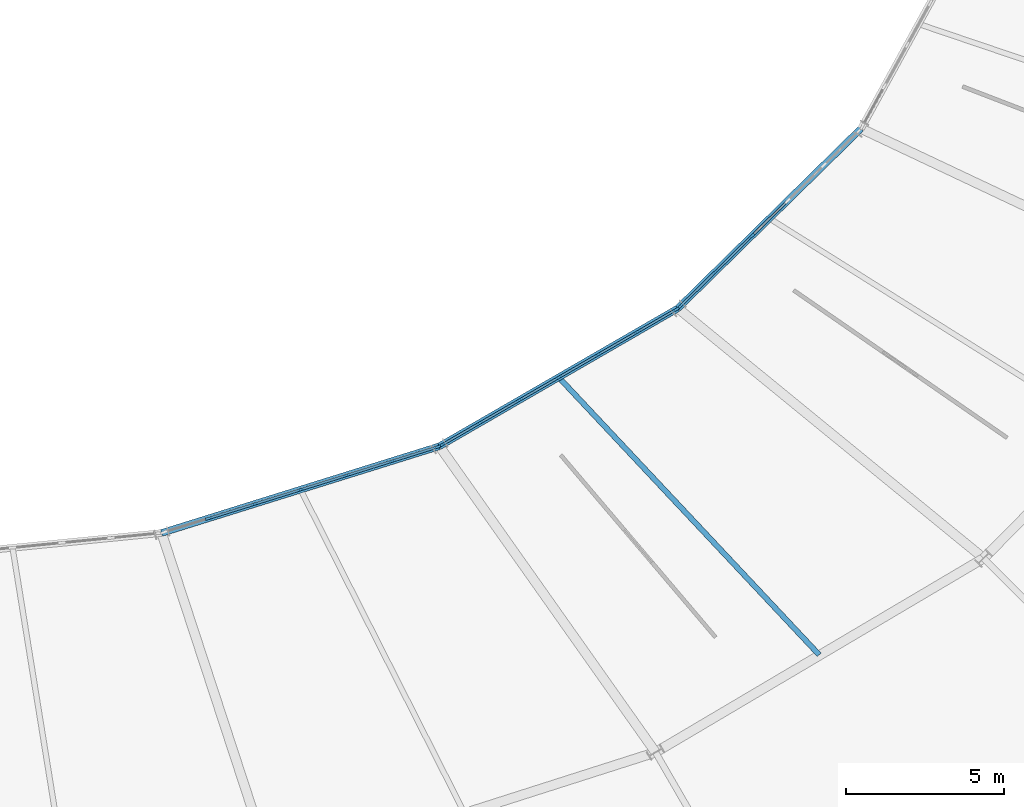
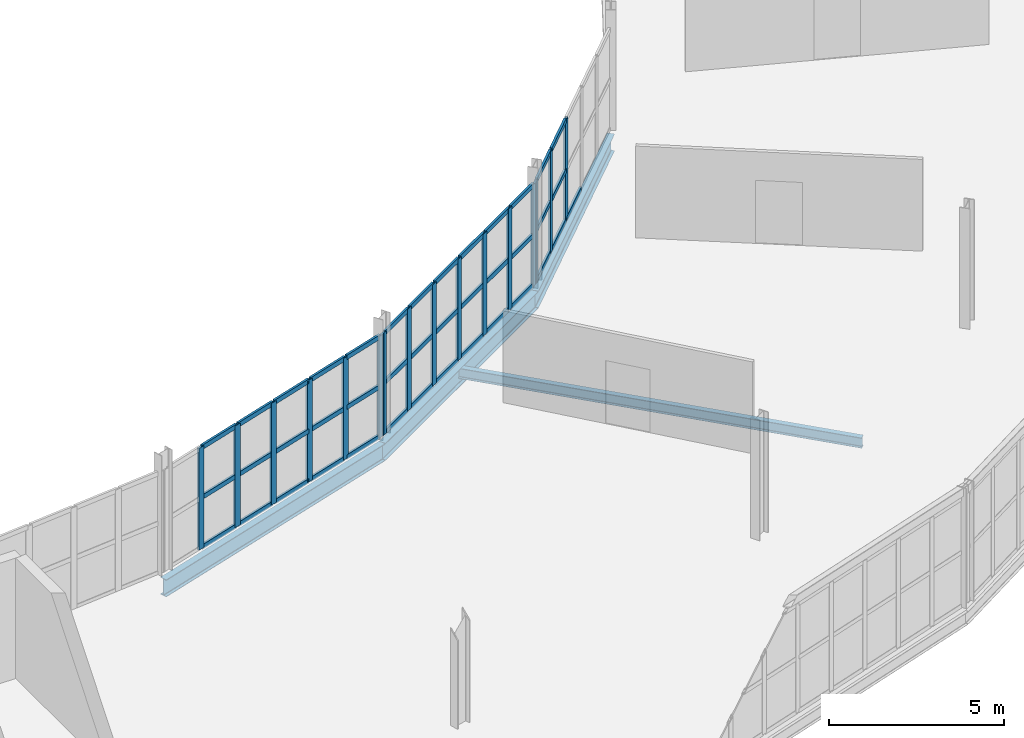
# One storey, part 63 of 161: 56 members, 4 beams, 3 elements without a shape of their own.
"""IFC4 building model written with IfcOpenShell, lengths in metres."""

from ifc_helpers import new_model, si_unit, direction, frame, origin, origin_2d, place, context, subcontext, project, spatial, rectangle, i_section, extrude, material, material_profile, profile_set, type_object, element, aggregate, save


model = new_model("IFC4")

# Units and contexts
model_context = context("Model", 3, precision=1e-05, world=origin(), true_north=direction((0.0, 1.0)))
body_context = subcontext(model_context, "Body", "Model", "MODEL_VIEW")
ifc_project = project(units=[si_unit("LENGTHUNIT", "METRE"), si_unit("AREAUNIT", "SQUARE_METRE"), si_unit("VOLUMEUNIT", "CUBIC_METRE"), si_unit("PLANEANGLEUNIT", "RADIAN"), si_unit("MASSUNIT", "GRAM", prefix="KILO")], contexts=[model_context])

# Site, building, storey
site_placement = place(None, origin())
site = spatial("IfcSite", under=ifc_project, at=site_placement, CompositionType="ELEMENT")
building_placement = place(site_placement, origin())
building = spatial("IfcBuilding", under=site, at=building_placement, Name="Kildeholm Park Wholesale Market", CompositionType="ELEMENT")
storey_placement = place(building_placement, frame((0.0, 0.0, 5.39990234375)))
storey = spatial("IfcBuildingStorey", under=building, at=storey_placement, Name="L01", CompositionType="ELEMENT", Elevation=5.39990234375)

# Beams
ifc_material_1 = material(Name="Steel S355", Category="steel")
ifc_material_profile_1 = material_profile(ifc_material_1, i_section(OverallWidth=0.219970703125, OverallDepth=0.60009765625, WebThickness=0.011962890625, FlangeThickness=0.01904296875, FilletRadius=0.02392578125, at=origin_2d()), Name="IPE 600")
ifc_profile_set_1 = profile_set([ifc_material_profile_1], Name="Steel S355")
beam_type_1 = type_object("IfcBeamType", Name="Beam B-P04 IPE 600", PredefinedType="BEAM", material=ifc_profile_set_1)
beam_1_placement = place(storey_placement, frame((108.447021484375, 62.93701171875, -0.5498046875), z_axis=(0.9545990852, 0.297893582568, 0.0), x_axis=(-0.297893582568, 0.9545990852, 0.0)))
element("IfcBeam", 1, at=beam_1_placement, inside=storey, type_object=beam_type_1, Name="Beam BM-V1-L01-CI-19 BM-0175", PredefinedType="BEAM", context=body_context, shape_type="SweptSolid", body=[
    extrude(i_section(OverallWidth=0.219970703125, OverallDepth=0.60009765625, WebThickness=0.011962890625, FlangeThickness=0.01904296875, FilletRadius=0.02392578125, at=origin_2d()), origin(), (0.0, 0.0, 1.0), 9.2216796875),
])
beam_2_placement = place(storey_placement, frame((117.25, 65.68408203125, -0.5498046875), z_axis=(0.865697347457, 0.500567780231, 0.0), x_axis=(-0.500567780231, 0.865697347457, 0.0)))
element("IfcBeam", 2, at=beam_2_placement, inside=storey, type_object=beam_type_1, Name="Beam BM-V1-L01-CI-20 BM-0184", PredefinedType="BEAM", context=body_context, shape_type="SweptSolid", body=[
    extrude(i_section(OverallWidth=0.219970703125, OverallDepth=0.60009765625, WebThickness=0.011962890625, FlangeThickness=0.01904296875, FilletRadius=0.02392578125, at=origin_2d()), origin(), (0.0, 0.0, 1.0), 8.731689453125),
])
beam_3_placement = place(storey_placement, frame((124.80908203125, 70.054931640625, -0.5498046875), z_axis=(0.713593723838, 0.700559774251, 0.0), x_axis=(-0.700559774251, 0.713593723838, 0.0)))
element("IfcBeam", 3, at=beam_3_placement, inside=storey, type_object=beam_type_1, Name="Beam BM-V1-L01-CI-21 BM-0194", PredefinedType="BEAM", context=body_context, shape_type="SweptSolid", body=[
    extrude(i_section(OverallWidth=0.219970703125, OverallDepth=0.60009765625, WebThickness=0.011962890625, FlangeThickness=0.01904296875, FilletRadius=0.02392578125, at=origin_2d()), origin(), (0.0, 0.0, 1.0), 8.12939453125),
])
ifc_material_profile_2 = material_profile(ifc_material_1, i_section(OverallWidth=0.169921875, OverallDepth=0.360107421875, WebThickness=0.008056640625, FlangeThickness=0.0126953125, FilletRadius=0.01806640625, at=origin_2d()), Name="IPE 360")
ifc_profile_set_2 = profile_set([ifc_material_profile_2], Name="Steel S355")
beam_type_2 = type_object("IfcBeamType", Name="Beam J-04 IPE 360", PredefinedType="JOIST", material=ifc_profile_set_2)
beam_4_placement = place(storey_placement, frame((121.043212890625, 67.85498046875, -0.429931640625), z_axis=(0.68439148237, -0.729114736416, 0.0), x_axis=(0.729114736416, 0.68439148237, 0.0)))
element("IfcBeam", 4, at=beam_4_placement, inside=storey, type_object=beam_type_2, Name="Beam JT-V1-L01-20 BM-0189", PredefinedType="JOIST", context=body_context, shape_type="SweptSolid", body=[
    extrude(i_section(OverallWidth=0.169921875, OverallDepth=0.360107421875, WebThickness=0.008056640625, FlangeThickness=0.0126953125, FilletRadius=0.01806640625, at=origin_2d()), origin(), (0.0, 0.0, 1.0), 12.04248046875),
])

# Curtain wall, members
ifc_material_2 = material(Name="Anodised aluminium and low-E double-glazed glass", Category="aluminium")
curtain_wall_type = type_object("IfcCurtainWallType", Name="Market hall glazed arcade stick curtain wall CW-01", PredefinedType="NOTDEFINED", material=ifc_material_2)
curtain_wall_1_placement = place(storey_placement, origin())
curtain_wall_1 = element("IfcCurtainWall", 5, at=curtain_wall_1_placement, inside=storey, type_object=curtain_wall_type, Name="Curtain wall CW-V1-IN1-19 CW-0097", PredefinedType="NOTDEFINED")
ifc_material_3 = material(Name="Anodised aluminium", Category="aluminium")
ifc_material_profile_3 = material_profile(ifc_material_3, rectangle(XDim=0.074951171875, YDim=0.219970703125, at=origin_2d()), Name="CWM 75x220")
ifc_profile_set_3 = profile_set([ifc_material_profile_3], Name="Anodised aluminium")
member_type_1 = type_object("IfcMemberType", Name="Curtain-wall mullion CWM-2 CWM 75x220", PredefinedType="MULLION", material=ifc_profile_set_3)
member_1_placement = place(storey_placement, frame((109.94140625, 63.39892578125, 0.0), z_axis=(0.0, 0.0, 1.0), x_axis=(-0.297957339818, 0.954579186683, 0.0)))
member_1 = element("IfcMember", 6, at=member_1_placement, type_object=member_type_1, Name="CW-01 mullion 2 MEM-3075", PredefinedType="MULLION", context=body_context, shape_type="SweptSolid", body=[
    extrude(rectangle(XDim=0.074951171875, YDim=0.219970703125, at=origin_2d()), origin(), (0.0, 0.0, 1.0), 3.550048828125),
])
member_2_placement = place(storey_placement, frame((111.39599609375, 63.85302734375, 0.0), z_axis=(0.0, 0.0, 1.0), x_axis=(-0.297957339818, 0.954579186683, 0.0)))
member_2 = element("IfcMember", 7, at=member_2_placement, type_object=member_type_1, Name="CW-01 mullion 3 MEM-3076", PredefinedType="MULLION", context=body_context, shape_type="SweptSolid", body=[
    extrude(rectangle(XDim=0.074951171875, YDim=0.219970703125, at=origin_2d()), origin(), (0.0, 0.0, 1.0), 3.550048828125),
])
member_3_placement = place(storey_placement, frame((112.8505859375, 64.306884765625, 0.0), z_axis=(0.0, 0.0, 1.0), x_axis=(-0.297957339818, 0.954579186683, 0.0)))
member_3 = element("IfcMember", 8, at=member_3_placement, type_object=member_type_1, Name="CW-01 mullion 4 MEM-3077", PredefinedType="MULLION", context=body_context, shape_type="SweptSolid", body=[
    extrude(rectangle(XDim=0.074951171875, YDim=0.219970703125, at=origin_2d()), origin(), (0.0, 0.0, 1.0), 3.550048828125),
])
member_4_placement = place(storey_placement, frame((114.304931640625, 64.760986328125, 0.0), z_axis=(0.0, 0.0, 1.0), x_axis=(-0.297957339818, 0.954579186683, 0.0)))
member_4 = element("IfcMember", 9, at=member_4_placement, type_object=member_type_1, Name="CW-01 mullion 5 MEM-3078", PredefinedType="MULLION", context=body_context, shape_type="SweptSolid", body=[
    extrude(rectangle(XDim=0.074951171875, YDim=0.219970703125, at=origin_2d()), origin(), (0.0, 0.0, 1.0), 3.550048828125),
])
member_5_placement = place(storey_placement, frame((115.759521484375, 65.215087890625, 0.0), z_axis=(0.0, 0.0, 1.0), x_axis=(-0.297957339818, 0.954579186683, 0.0)))
member_5 = element("IfcMember", 10, at=member_5_placement, type_object=member_type_1, Name="CW-01 mullion 6 MEM-3079", PredefinedType="MULLION", context=body_context, shape_type="SweptSolid", body=[
    extrude(rectangle(XDim=0.074951171875, YDim=0.219970703125, at=origin_2d()), origin(), (0.0, 0.0, 1.0), 3.550048828125),
])
member_6_placement = place(storey_placement, frame((117.17822265625, 65.65771484375, 0.0), z_axis=(0.0, 0.0, 1.0), x_axis=(-0.297957339818, 0.954579186683, 0.0)))
member_6 = element("IfcMember", 11, at=member_6_placement, type_object=member_type_1, Name="CW-01 mullion 7 MEM-3080", PredefinedType="MULLION", context=body_context, shape_type="SweptSolid", body=[
    extrude(rectangle(XDim=0.074951171875, YDim=0.219970703125, at=origin_2d()), origin(), (0.0, 0.0, 1.0), 3.550048828125),
])

curtain_wall_2_placement = place(storey_placement, origin())
curtain_wall_2 = element("IfcCurtainWall", 12, at=curtain_wall_2_placement, inside=storey, type_object=curtain_wall_type, Name="Curtain wall CW-V1-IN1-20 CW-0102", PredefinedType="NOTDEFINED")
member_7_placement = place(storey_placement, frame((117.320556640625, 65.7197265625, 0.0), z_axis=(0.0, 0.0, 1.0), x_axis=(-0.500489412982, 0.865742656621, 0.0)))
member_7 = element("IfcMember", 13, at=member_7_placement, type_object=member_type_1, Name="CW-01 mullion 1 MEM-3219", PredefinedType="MULLION", context=body_context, shape_type="SweptSolid", body=[
    extrude(rectangle(XDim=0.074951171875, YDim=0.219970703125, at=origin_2d()), origin(), (0.0, 0.0, 1.0), 3.550048828125),
])
member_8_placement = place(storey_placement, frame((118.536376953125, 66.422607421875, 0.0), z_axis=(0.0, 0.0, 1.0), x_axis=(-0.500489412982, 0.865742656621, 0.0)))
member_8 = element("IfcMember", 14, at=member_8_placement, type_object=member_type_1, Name="CW-01 mullion 2 MEM-3220", PredefinedType="MULLION", context=body_context, shape_type="SweptSolid", body=[
    extrude(rectangle(XDim=0.074951171875, YDim=0.219970703125, at=origin_2d()), origin(), (0.0, 0.0, 1.0), 3.550048828125),
])
member_9_placement = place(storey_placement, frame((119.78466796875, 67.144287109375, 0.0), z_axis=(0.0, 0.0, 1.0), x_axis=(-0.500489412982, 0.865742656621, 0.0)))
member_9 = element("IfcMember", 15, at=member_9_placement, type_object=member_type_1, Name="CW-01 mullion 3 MEM-3221", PredefinedType="MULLION", context=body_context, shape_type="SweptSolid", body=[
    extrude(rectangle(XDim=0.074951171875, YDim=0.219970703125, at=origin_2d()), origin(), (0.0, 0.0, 1.0), 3.550048828125),
])
member_10_placement = place(storey_placement, frame((121.032958984375, 67.865966796875, 0.0), z_axis=(0.0, 0.0, 1.0), x_axis=(-0.500489412982, 0.865742656621, 0.0)))
member_10 = element("IfcMember", 16, at=member_10_placement, type_object=member_type_1, Name="CW-01 mullion 4 MEM-3222", PredefinedType="MULLION", context=body_context, shape_type="SweptSolid", body=[
    extrude(rectangle(XDim=0.074951171875, YDim=0.219970703125, at=origin_2d()), origin(), (0.0, 0.0, 1.0), 3.550048828125),
])
member_11_placement = place(storey_placement, frame((122.28125, 68.587646484375, 0.0), z_axis=(0.0, 0.0, 1.0), x_axis=(-0.500489412982, 0.865742656621, 0.0)))
member_11 = element("IfcMember", 17, at=member_11_placement, type_object=member_type_1, Name="CW-01 mullion 5 MEM-3223", PredefinedType="MULLION", context=body_context, shape_type="SweptSolid", body=[
    extrude(rectangle(XDim=0.074951171875, YDim=0.219970703125, at=origin_2d()), origin(), (0.0, 0.0, 1.0), 3.550048828125),
])
member_12_placement = place(storey_placement, frame((123.52978515625, 69.309326171875, 0.0), z_axis=(0.0, 0.0, 1.0), x_axis=(-0.500489412982, 0.865742656621, 0.0)))
member_12 = element("IfcMember", 18, at=member_12_placement, type_object=member_type_1, Name="CW-01 mullion 6 MEM-3224", PredefinedType="MULLION", context=body_context, shape_type="SweptSolid", body=[
    extrude(rectangle(XDim=0.074951171875, YDim=0.219970703125, at=origin_2d()), origin(), (0.0, 0.0, 1.0), 3.550048828125),
])
member_13_placement = place(storey_placement, frame((124.74560546875, 70.01220703125, 0.0), z_axis=(0.0, 0.0, 1.0), x_axis=(-0.500489412982, 0.865742656621, 0.0)))
member_13 = element("IfcMember", 19, at=member_13_placement, type_object=member_type_1, Name="CW-01 mullion 7 MEM-3225", PredefinedType="MULLION", context=body_context, shape_type="SweptSolid", body=[
    extrude(rectangle(XDim=0.074951171875, YDim=0.219970703125, at=origin_2d()), origin(), (0.0, 0.0, 1.0), 3.550048828125),
])

curtain_wall_3_placement = place(storey_placement, origin())
curtain_wall_3 = element("IfcCurtainWall", 20, at=curtain_wall_3_placement, inside=storey, type_object=curtain_wall_type, Name="Curtain wall CW-V1-IN1-21 CW-0107", PredefinedType="NOTDEFINED")
member_14_placement = place(storey_placement, frame((124.869873046875, 70.106201171875, 0.0), z_axis=(0.0, 0.0, 1.0), x_axis=(-0.700616534607, 0.713537995789, 0.0)))
member_14 = element("IfcMember", 21, at=member_14_placement, type_object=member_type_1, Name="CW-01 mullion 1 MEM-3356", PredefinedType="MULLION", context=body_context, shape_type="SweptSolid", body=[
    extrude(rectangle(XDim=0.074951171875, YDim=0.219970703125, at=origin_2d()), origin(), (0.0, 0.0, 1.0), 3.550048828125),
])
member_15_placement = place(storey_placement, frame((125.99169921875, 71.207763671875, 0.0), z_axis=(0.0, 0.0, 1.0), x_axis=(-0.700616534607, 0.713537995789, 0.0)))
member_15 = element("IfcMember", 22, at=member_15_placement, type_object=member_type_1, Name="CW-01 mullion 2 MEM-3357", PredefinedType="MULLION", context=body_context, shape_type="SweptSolid", body=[
    extrude(rectangle(XDim=0.074951171875, YDim=0.219970703125, at=origin_2d()), origin(), (0.0, 0.0, 1.0), 3.550048828125),
])
member_16_placement = place(storey_placement, frame((127.14013671875, 72.335693359375, 0.0), z_axis=(0.0, 0.0, 1.0), x_axis=(-0.700616534607, 0.713537995789, 0.0)))
member_16 = element("IfcMember", 23, at=member_16_placement, type_object=member_type_1, Name="CW-01 mullion 3 MEM-3358", PredefinedType="MULLION", context=body_context, shape_type="SweptSolid", body=[
    extrude(rectangle(XDim=0.074951171875, YDim=0.219970703125, at=origin_2d()), origin(), (0.0, 0.0, 1.0), 3.550048828125),
])

# Member
ifc_material_profile_4 = material_profile(ifc_material_3, rectangle(XDim=0.074951171875, YDim=0.159912109375, at=origin_2d()), Name="CWT 75x160")
ifc_profile_set_4 = profile_set([ifc_material_profile_4], Name="Anodised aluminium")
member_type_2 = type_object("IfcMemberType", Name="Curtain-wall transom CWT-2 CWT 75x160", PredefinedType="USERDEFINED", material=ifc_profile_set_4)
member_17_placement = place(storey_placement, frame((109.977294921875, 63.41015625, 0.03759765625), z_axis=(0.954575890989, 0.297967898176, 0.0), x_axis=(-0.297967898176, 0.954575890989, 0.0)))
member_17 = element("IfcMember", 24, at=member_17_placement, type_object=member_type_2, Name="CW-01 transom 2.1 MEM-3084", ObjectType="TRANSOM", PredefinedType="USERDEFINED", context=body_context, shape_type="SweptSolid", body=[
    extrude(rectangle(XDim=0.074951171875, YDim=0.159912109375, at=origin_2d()), origin(), (0.0, 0.0, 1.0), 1.44873046875),
])

member_18_placement = place(storey_placement, frame((109.977294921875, 63.41015625, 1.775146484375), z_axis=(0.954575890989, 0.297967898176, 0.0), x_axis=(-0.297967898176, 0.954575890989, 0.0)))
member_18 = element("IfcMember", 25, at=member_18_placement, type_object=member_type_2, Name="CW-01 transom 2.2 MEM-3085", ObjectType="TRANSOM", PredefinedType="USERDEFINED", context=body_context, shape_type="SweptSolid", body=[
    extrude(rectangle(XDim=0.074951171875, YDim=0.159912109375, at=origin_2d()), origin(), (0.0, 0.0, 1.0), 1.44873046875),
])

member_19_placement = place(storey_placement, frame((109.977294921875, 63.41015625, 3.5126953125), z_axis=(0.954575890989, 0.297967898176, 0.0), x_axis=(-0.297967898176, 0.954575890989, 0.0)))
member_19 = element("IfcMember", 26, at=member_19_placement, type_object=member_type_2, Name="CW-01 transom 2.3 MEM-3086", ObjectType="TRANSOM", PredefinedType="USERDEFINED", context=body_context, shape_type="SweptSolid", body=[
    extrude(rectangle(XDim=0.074951171875, YDim=0.159912109375, at=origin_2d()), origin(), (0.0, 0.0, 1.0), 1.44873046875),
])

member_20_placement = place(storey_placement, frame((111.431884765625, 63.8642578125, 0.03759765625), z_axis=(0.954575890989, 0.297967898176, 0.0), x_axis=(-0.297967898176, 0.954575890989, 0.0)))
member_20 = element("IfcMember", 27, at=member_20_placement, type_object=member_type_2, Name="CW-01 transom 3.1 MEM-3087", ObjectType="TRANSOM", PredefinedType="USERDEFINED", context=body_context, shape_type="SweptSolid", body=[
    extrude(rectangle(XDim=0.074951171875, YDim=0.159912109375, at=origin_2d()), origin(), (0.0, 0.0, 1.0), 1.44873046875),
])

member_21_placement = place(storey_placement, frame((111.431884765625, 63.8642578125, 1.775146484375), z_axis=(0.954575890989, 0.297967898176, 0.0), x_axis=(-0.297967898176, 0.954575890989, 0.0)))
member_21 = element("IfcMember", 28, at=member_21_placement, type_object=member_type_2, Name="CW-01 transom 3.2 MEM-3088", ObjectType="TRANSOM", PredefinedType="USERDEFINED", context=body_context, shape_type="SweptSolid", body=[
    extrude(rectangle(XDim=0.074951171875, YDim=0.159912109375, at=origin_2d()), origin(), (0.0, 0.0, 1.0), 1.44873046875),
])

member_22_placement = place(storey_placement, frame((111.431884765625, 63.8642578125, 3.5126953125), z_axis=(0.954575890989, 0.297967898176, 0.0), x_axis=(-0.297967898176, 0.954575890989, 0.0)))
member_22 = element("IfcMember", 29, at=member_22_placement, type_object=member_type_2, Name="CW-01 transom 3.3 MEM-3089", ObjectType="TRANSOM", PredefinedType="USERDEFINED", context=body_context, shape_type="SweptSolid", body=[
    extrude(rectangle(XDim=0.074951171875, YDim=0.159912109375, at=origin_2d()), origin(), (0.0, 0.0, 1.0), 1.44873046875),
])

member_23_placement = place(storey_placement, frame((112.88623046875, 64.318115234375, 0.03759765625), z_axis=(0.954590850637, 0.297919968919, 0.0), x_axis=(-0.297919968919, 0.954590850637, 0.0)))
member_23 = element("IfcMember", 30, at=member_23_placement, type_object=member_type_2, Name="CW-01 transom 4.1 MEM-3090", ObjectType="TRANSOM", PredefinedType="USERDEFINED", context=body_context, shape_type="SweptSolid", body=[
    extrude(rectangle(XDim=0.074951171875, YDim=0.159912109375, at=origin_2d()), origin(), (0.0, 0.0, 1.0), 1.44873046875),
])

member_24_placement = place(storey_placement, frame((112.88623046875, 64.318115234375, 1.775146484375), z_axis=(0.954590850637, 0.297919968919, 0.0), x_axis=(-0.297919968919, 0.954590850637, 0.0)))
member_24 = element("IfcMember", 31, at=member_24_placement, type_object=member_type_2, Name="CW-01 transom 4.2 MEM-3091", ObjectType="TRANSOM", PredefinedType="USERDEFINED", context=body_context, shape_type="SweptSolid", body=[
    extrude(rectangle(XDim=0.074951171875, YDim=0.159912109375, at=origin_2d()), origin(), (0.0, 0.0, 1.0), 1.44873046875),
])

member_25_placement = place(storey_placement, frame((112.88623046875, 64.318115234375, 3.5126953125), z_axis=(0.954590850637, 0.297919968919, 0.0), x_axis=(-0.297919968919, 0.954590850637, 0.0)))
member_25 = element("IfcMember", 32, at=member_25_placement, type_object=member_type_2, Name="CW-01 transom 4.3 MEM-3092", ObjectType="TRANSOM", PredefinedType="USERDEFINED", context=body_context, shape_type="SweptSolid", body=[
    extrude(rectangle(XDim=0.074951171875, YDim=0.159912109375, at=origin_2d()), origin(), (0.0, 0.0, 1.0), 1.44873046875),
])

member_26_placement = place(storey_placement, frame((114.3408203125, 64.772216796875, 0.03759765625), z_axis=(0.954575890989, 0.297967898176, 0.0), x_axis=(-0.297967898176, 0.954575890989, 0.0)))
member_26 = element("IfcMember", 33, at=member_26_placement, type_object=member_type_2, Name="CW-01 transom 5.1 MEM-3093", ObjectType="TRANSOM", PredefinedType="USERDEFINED", context=body_context, shape_type="SweptSolid", body=[
    extrude(rectangle(XDim=0.074951171875, YDim=0.159912109375, at=origin_2d()), origin(), (0.0, 0.0, 1.0), 1.44873046875),
])

member_27_placement = place(storey_placement, frame((114.3408203125, 64.772216796875, 1.775146484375), z_axis=(0.954575890989, 0.297967898176, 0.0), x_axis=(-0.297967898176, 0.954575890989, 0.0)))
member_27 = element("IfcMember", 34, at=member_27_placement, type_object=member_type_2, Name="CW-01 transom 5.2 MEM-3094", ObjectType="TRANSOM", PredefinedType="USERDEFINED", context=body_context, shape_type="SweptSolid", body=[
    extrude(rectangle(XDim=0.074951171875, YDim=0.159912109375, at=origin_2d()), origin(), (0.0, 0.0, 1.0), 1.44873046875),
])

member_28_placement = place(storey_placement, frame((114.3408203125, 64.772216796875, 3.5126953125), z_axis=(0.954575890989, 0.297967898176, 0.0), x_axis=(-0.297967898176, 0.954575890989, 0.0)))
member_28 = element("IfcMember", 35, at=member_28_placement, type_object=member_type_2, Name="CW-01 transom 5.3 MEM-3095", ObjectType="TRANSOM", PredefinedType="USERDEFINED", context=body_context, shape_type="SweptSolid", body=[
    extrude(rectangle(XDim=0.074951171875, YDim=0.159912109375, at=origin_2d()), origin(), (0.0, 0.0, 1.0), 1.44873046875),
])

member_29_placement = place(storey_placement, frame((115.79541015625, 65.22607421875, 0.03759765625), z_axis=(0.954532299309, 0.298107513451, 0.0), x_axis=(-0.298107513451, 0.954532299309, 0.0)))
member_29 = element("IfcMember", 36, at=member_29_placement, type_object=member_type_2, Name="CW-01 transom 6.1 MEM-3096", ObjectType="TRANSOM", PredefinedType="USERDEFINED", context=body_context, shape_type="SweptSolid", body=[
    extrude(rectangle(XDim=0.074951171875, YDim=0.159912109375, at=origin_2d()), origin(), (0.0, 0.0, 1.0), 1.4111328125),
])

member_30_placement = place(storey_placement, frame((115.79541015625, 65.22607421875, 1.775146484375), z_axis=(0.954532299309, 0.298107513451, 0.0), x_axis=(-0.298107513451, 0.954532299309, 0.0)))
member_30 = element("IfcMember", 37, at=member_30_placement, type_object=member_type_2, Name="CW-01 transom 6.2 MEM-3097", ObjectType="TRANSOM", PredefinedType="USERDEFINED", context=body_context, shape_type="SweptSolid", body=[
    extrude(rectangle(XDim=0.074951171875, YDim=0.159912109375, at=origin_2d()), origin(), (0.0, 0.0, 1.0), 1.4111328125),
])

member_31_placement = place(storey_placement, frame((115.79541015625, 65.22607421875, 3.5126953125), z_axis=(0.954532299309, 0.298107513451, 0.0), x_axis=(-0.298107513451, 0.954532299309, 0.0)))
member_31 = element("IfcMember", 38, at=member_31_placement, type_object=member_type_2, Name="CW-01 transom 6.3 MEM-3098", ObjectType="TRANSOM", PredefinedType="USERDEFINED", context=body_context, shape_type="SweptSolid", body=[
    extrude(rectangle(XDim=0.074951171875, YDim=0.159912109375, at=origin_2d()), origin(), (0.0, 0.0, 1.0), 1.4111328125),
])

aggregate(curtain_wall_1, [member_1, member_2, member_3, member_4, member_5, member_6, member_17, member_18, member_19, member_20, member_21, member_22, member_23, member_24, member_25, member_26, member_27, member_28, member_29, member_30, member_31])

member_32_placement = place(storey_placement, frame((117.35302734375, 65.738525390625, 0.03759765625), z_axis=(0.865757211821, 0.500464234666, 0.0), x_axis=(-0.500464234666, 0.865757211821, 0.0)))
member_32 = element("IfcMember", 39, at=member_32_placement, type_object=member_type_2, Name="CW-01 transom 1.1 MEM-3226", ObjectType="TRANSOM", PredefinedType="USERDEFINED", context=body_context, shape_type="SweptSolid", body=[
    extrude(rectangle(XDim=0.074951171875, YDim=0.159912109375, at=origin_2d()), origin(), (0.0, 0.0, 1.0), 1.329345703125),
])

member_33_placement = place(storey_placement, frame((117.35302734375, 65.738525390625, 1.775146484375), z_axis=(0.865757211821, 0.500464234666, 0.0), x_axis=(-0.500464234666, 0.865757211821, 0.0)))
member_33 = element("IfcMember", 40, at=member_33_placement, type_object=member_type_2, Name="CW-01 transom 1.2 MEM-3227", ObjectType="TRANSOM", PredefinedType="USERDEFINED", context=body_context, shape_type="SweptSolid", body=[
    extrude(rectangle(XDim=0.074951171875, YDim=0.159912109375, at=origin_2d()), origin(), (0.0, 0.0, 1.0), 1.329345703125),
])

member_34_placement = place(storey_placement, frame((117.35302734375, 65.738525390625, 3.5126953125), z_axis=(0.865757211821, 0.500464234666, 0.0), x_axis=(-0.500464234666, 0.865757211821, 0.0)))
member_34 = element("IfcMember", 41, at=member_34_placement, type_object=member_type_2, Name="CW-01 transom 1.3 MEM-3228", ObjectType="TRANSOM", PredefinedType="USERDEFINED", context=body_context, shape_type="SweptSolid", body=[
    extrude(rectangle(XDim=0.074951171875, YDim=0.159912109375, at=origin_2d()), origin(), (0.0, 0.0, 1.0), 1.329345703125),
])

member_35_placement = place(storey_placement, frame((118.56884765625, 66.44140625, 0.03759765625), z_axis=(0.865748132987, 0.500479939887, 0.0), x_axis=(-0.500479939887, 0.865748132987, 0.0)))
member_35 = element("IfcMember", 42, at=member_35_placement, type_object=member_type_2, Name="CW-01 transom 2.1 MEM-3229", ObjectType="TRANSOM", PredefinedType="USERDEFINED", context=body_context, shape_type="SweptSolid", body=[
    extrude(rectangle(XDim=0.074951171875, YDim=0.159912109375, at=origin_2d()), origin(), (0.0, 0.0, 1.0), 1.366943359375),
])

member_36_placement = place(storey_placement, frame((118.56884765625, 66.44140625, 1.775146484375), z_axis=(0.865748132987, 0.500479939887, 0.0), x_axis=(-0.500479939887, 0.865748132987, 0.0)))
member_36 = element("IfcMember", 43, at=member_36_placement, type_object=member_type_2, Name="CW-01 transom 2.2 MEM-3230", ObjectType="TRANSOM", PredefinedType="USERDEFINED", context=body_context, shape_type="SweptSolid", body=[
    extrude(rectangle(XDim=0.074951171875, YDim=0.159912109375, at=origin_2d()), origin(), (0.0, 0.0, 1.0), 1.366943359375),
])

member_37_placement = place(storey_placement, frame((118.56884765625, 66.44140625, 3.5126953125), z_axis=(0.865748132987, 0.500479939887, 0.0), x_axis=(-0.500479939887, 0.865748132987, 0.0)))
member_37 = element("IfcMember", 44, at=member_37_placement, type_object=member_type_2, Name="CW-01 transom 2.3 MEM-3231", ObjectType="TRANSOM", PredefinedType="USERDEFINED", context=body_context, shape_type="SweptSolid", body=[
    extrude(rectangle(XDim=0.074951171875, YDim=0.159912109375, at=origin_2d()), origin(), (0.0, 0.0, 1.0), 1.366943359375),
])

member_38_placement = place(storey_placement, frame((119.817138671875, 67.1630859375, 0.03759765625), z_axis=(0.865748132987, 0.500479939887, 0.0), x_axis=(-0.500479939887, 0.865748132987, 0.0)))
member_38 = element("IfcMember", 45, at=member_38_placement, type_object=member_type_2, Name="CW-01 transom 3.1 MEM-3232", ObjectType="TRANSOM", PredefinedType="USERDEFINED", context=body_context, shape_type="SweptSolid", body=[
    extrude(rectangle(XDim=0.074951171875, YDim=0.159912109375, at=origin_2d()), origin(), (0.0, 0.0, 1.0), 1.366943359375),
])

member_39_placement = place(storey_placement, frame((119.817138671875, 67.1630859375, 1.775146484375), z_axis=(0.865748132987, 0.500479939887, 0.0), x_axis=(-0.500479939887, 0.865748132987, 0.0)))
member_39 = element("IfcMember", 46, at=member_39_placement, type_object=member_type_2, Name="CW-01 transom 3.2 MEM-3233", ObjectType="TRANSOM", PredefinedType="USERDEFINED", context=body_context, shape_type="SweptSolid", body=[
    extrude(rectangle(XDim=0.074951171875, YDim=0.159912109375, at=origin_2d()), origin(), (0.0, 0.0, 1.0), 1.366943359375),
])

member_40_placement = place(storey_placement, frame((119.817138671875, 67.1630859375, 3.5126953125), z_axis=(0.865748132987, 0.500479939887, 0.0), x_axis=(-0.500479939887, 0.865748132987, 0.0)))
member_40 = element("IfcMember", 47, at=member_40_placement, type_object=member_type_2, Name="CW-01 transom 3.3 MEM-3234", ObjectType="TRANSOM", PredefinedType="USERDEFINED", context=body_context, shape_type="SweptSolid", body=[
    extrude(rectangle(XDim=0.074951171875, YDim=0.159912109375, at=origin_2d()), origin(), (0.0, 0.0, 1.0), 1.366943359375),
])

member_41_placement = place(storey_placement, frame((121.0654296875, 67.884765625, 0.03759765625), z_axis=(0.865748132987, 0.500479939887, 0.0), x_axis=(-0.500479939887, 0.865748132987, 0.0)))
member_41 = element("IfcMember", 48, at=member_41_placement, type_object=member_type_2, Name="CW-01 transom 4.1 MEM-3235", ObjectType="TRANSOM", PredefinedType="USERDEFINED", context=body_context, shape_type="SweptSolid", body=[
    extrude(rectangle(XDim=0.074951171875, YDim=0.159912109375, at=origin_2d()), origin(), (0.0, 0.0, 1.0), 1.366943359375),
])

member_42_placement = place(storey_placement, frame((121.0654296875, 67.884765625, 1.775146484375), z_axis=(0.865748132987, 0.500479939887, 0.0), x_axis=(-0.500479939887, 0.865748132987, 0.0)))
member_42 = element("IfcMember", 49, at=member_42_placement, type_object=member_type_2, Name="CW-01 transom 4.2 MEM-3236", ObjectType="TRANSOM", PredefinedType="USERDEFINED", context=body_context, shape_type="SweptSolid", body=[
    extrude(rectangle(XDim=0.074951171875, YDim=0.159912109375, at=origin_2d()), origin(), (0.0, 0.0, 1.0), 1.366943359375),
])

member_43_placement = place(storey_placement, frame((121.0654296875, 67.884765625, 3.5126953125), z_axis=(0.865748132987, 0.500479939887, 0.0), x_axis=(-0.500479939887, 0.865748132987, 0.0)))
member_43 = element("IfcMember", 50, at=member_43_placement, type_object=member_type_2, Name="CW-01 transom 4.3 MEM-3237", ObjectType="TRANSOM", PredefinedType="USERDEFINED", context=body_context, shape_type="SweptSolid", body=[
    extrude(rectangle(XDim=0.074951171875, YDim=0.159912109375, at=origin_2d()), origin(), (0.0, 0.0, 1.0), 1.366943359375),
])

member_44_placement = place(storey_placement, frame((122.313720703125, 68.6064453125, 0.03759765625), z_axis=(0.865792862191, 0.500402557727, 0.0), x_axis=(-0.500402557727, 0.865792862191, 0.0)))
member_44 = element("IfcMember", 51, at=member_44_placement, type_object=member_type_2, Name="CW-01 transom 5.1 MEM-3238", ObjectType="TRANSOM", PredefinedType="USERDEFINED", context=body_context, shape_type="SweptSolid", body=[
    extrude(rectangle(XDim=0.074951171875, YDim=0.159912109375, at=origin_2d()), origin(), (0.0, 0.0, 1.0), 1.366943359375),
])

member_45_placement = place(storey_placement, frame((122.313720703125, 68.6064453125, 1.775146484375), z_axis=(0.865792862191, 0.500402557727, 0.0), x_axis=(-0.500402557727, 0.865792862191, 0.0)))
member_45 = element("IfcMember", 52, at=member_45_placement, type_object=member_type_2, Name="CW-01 transom 5.2 MEM-3239", ObjectType="TRANSOM", PredefinedType="USERDEFINED", context=body_context, shape_type="SweptSolid", body=[
    extrude(rectangle(XDim=0.074951171875, YDim=0.159912109375, at=origin_2d()), origin(), (0.0, 0.0, 1.0), 1.366943359375),
])

member_46_placement = place(storey_placement, frame((122.313720703125, 68.6064453125, 3.5126953125), z_axis=(0.865792862191, 0.500402557727, 0.0), x_axis=(-0.500402557727, 0.865792862191, 0.0)))
member_46 = element("IfcMember", 53, at=member_46_placement, type_object=member_type_2, Name="CW-01 transom 5.3 MEM-3240", ObjectType="TRANSOM", PredefinedType="USERDEFINED", context=body_context, shape_type="SweptSolid", body=[
    extrude(rectangle(XDim=0.074951171875, YDim=0.159912109375, at=origin_2d()), origin(), (0.0, 0.0, 1.0), 1.366943359375),
])

member_47_placement = place(storey_placement, frame((123.56201171875, 69.328125, 0.03759765625), z_axis=(0.865803200302, 0.500384670376, 0.0), x_axis=(-0.500384670376, 0.865803200302, 0.0)))
member_47 = element("IfcMember", 54, at=member_47_placement, type_object=member_type_2, Name="CW-01 transom 6.1 MEM-3241", ObjectType="TRANSOM", PredefinedType="USERDEFINED", context=body_context, shape_type="SweptSolid", body=[
    extrude(rectangle(XDim=0.074951171875, YDim=0.159912109375, at=origin_2d()), origin(), (0.0, 0.0, 1.0), 1.32958984375),
])

member_48_placement = place(storey_placement, frame((123.56201171875, 69.328125, 1.775146484375), z_axis=(0.865803200302, 0.500384670376, 0.0), x_axis=(-0.500384670376, 0.865803200302, 0.0)))
member_48 = element("IfcMember", 55, at=member_48_placement, type_object=member_type_2, Name="CW-01 transom 6.2 MEM-3242", ObjectType="TRANSOM", PredefinedType="USERDEFINED", context=body_context, shape_type="SweptSolid", body=[
    extrude(rectangle(XDim=0.074951171875, YDim=0.159912109375, at=origin_2d()), origin(), (0.0, 0.0, 1.0), 1.32958984375),
])

member_49_placement = place(storey_placement, frame((123.56201171875, 69.328125, 3.5126953125), z_axis=(0.865803200302, 0.500384670376, 0.0), x_axis=(-0.500384670376, 0.865803200302, 0.0)))
member_49 = element("IfcMember", 56, at=member_49_placement, type_object=member_type_2, Name="CW-01 transom 6.3 MEM-3243", ObjectType="TRANSOM", PredefinedType="USERDEFINED", context=body_context, shape_type="SweptSolid", body=[
    extrude(rectangle(XDim=0.074951171875, YDim=0.159912109375, at=origin_2d()), origin(), (0.0, 0.0, 1.0), 1.32958984375),
])

aggregate(curtain_wall_2, [member_7, member_8, member_9, member_10, member_11, member_12, member_13, member_32, member_33, member_34, member_35, member_36, member_37, member_38, member_39, member_40, member_41, member_42, member_43, member_44, member_45, member_46, member_47, member_48, member_49])

member_50_placement = place(storey_placement, frame((124.896484375, 70.132568359375, 0.03759765625), z_axis=(0.713518025391, 0.700636872739, 0.0), x_axis=(-0.700636872739, 0.713518025391, 0.0)))
member_50 = element("IfcMember", 57, at=member_50_placement, type_object=member_type_2, Name="CW-01 transom 1.1 MEM-3362", ObjectType="TRANSOM", PredefinedType="USERDEFINED", context=body_context, shape_type="SweptSolid", body=[
    extrude(rectangle(XDim=0.074951171875, YDim=0.159912109375, at=origin_2d()), origin(), (0.0, 0.0, 1.0), 1.497314453125),
])

member_51_placement = place(storey_placement, frame((124.896484375, 70.132568359375, 1.775146484375), z_axis=(0.713518025391, 0.700636872739, 0.0), x_axis=(-0.700636872739, 0.713518025391, 0.0)))
member_51 = element("IfcMember", 58, at=member_51_placement, type_object=member_type_2, Name="CW-01 transom 1.2 MEM-3363", ObjectType="TRANSOM", PredefinedType="USERDEFINED", context=body_context, shape_type="SweptSolid", body=[
    extrude(rectangle(XDim=0.074951171875, YDim=0.159912109375, at=origin_2d()), origin(), (0.0, 0.0, 1.0), 1.497314453125),
])

member_52_placement = place(storey_placement, frame((124.896484375, 70.132568359375, 3.5126953125), z_axis=(0.713518025391, 0.700636872739, 0.0), x_axis=(-0.700636872739, 0.713518025391, 0.0)))
member_52 = element("IfcMember", 59, at=member_52_placement, type_object=member_type_2, Name="CW-01 transom 1.3 MEM-3364", ObjectType="TRANSOM", PredefinedType="USERDEFINED", context=body_context, shape_type="SweptSolid", body=[
    extrude(rectangle(XDim=0.074951171875, YDim=0.159912109375, at=origin_2d()), origin(), (0.0, 0.0, 1.0), 1.497314453125),
])

member_53_placement = place(storey_placement, frame((126.018310546875, 71.234130859375, 0.03759765625), z_axis=(0.713598670351, 0.700554735672, 0.0), x_axis=(-0.700554735672, 0.713598670351, 0.0)))
member_53 = element("IfcMember", 60, at=member_53_placement, type_object=member_type_2, Name="CW-01 transom 2.1 MEM-3365", ObjectType="TRANSOM", PredefinedType="USERDEFINED", context=body_context, shape_type="SweptSolid", body=[
    extrude(rectangle(XDim=0.074951171875, YDim=0.159912109375, at=origin_2d()), origin(), (0.0, 0.0, 1.0), 1.53466796875),
])

member_54_placement = place(storey_placement, frame((126.018310546875, 71.234130859375, 1.775146484375), z_axis=(0.713598670351, 0.700554735672, 0.0), x_axis=(-0.700554735672, 0.713598670351, 0.0)))
member_54 = element("IfcMember", 61, at=member_54_placement, type_object=member_type_2, Name="CW-01 transom 2.2 MEM-3366", ObjectType="TRANSOM", PredefinedType="USERDEFINED", context=body_context, shape_type="SweptSolid", body=[
    extrude(rectangle(XDim=0.074951171875, YDim=0.159912109375, at=origin_2d()), origin(), (0.0, 0.0, 1.0), 1.53466796875),
])

member_55_placement = place(storey_placement, frame((126.018310546875, 71.234130859375, 3.5126953125), z_axis=(0.713598670351, 0.700554735672, 0.0), x_axis=(-0.700554735672, 0.713598670351, 0.0)))
member_55 = element("IfcMember", 62, at=member_55_placement, type_object=member_type_2, Name="CW-01 transom 2.3 MEM-3367", ObjectType="TRANSOM", PredefinedType="USERDEFINED", context=body_context, shape_type="SweptSolid", body=[
    extrude(rectangle(XDim=0.074951171875, YDim=0.159912109375, at=origin_2d()), origin(), (0.0, 0.0, 1.0), 1.53466796875),
])

member_56_placement = place(storey_placement, frame((127.1669921875, 72.36181640625, 0.03759765625), z_axis=(0.713520588004, 0.700634263003, 0.0), x_axis=(-0.700634263003, 0.713520588004, 0.0)))
member_56 = element("IfcMember", 63, at=member_56_placement, type_object=member_type_2, Name="CW-01 transom 3.1 MEM-3368", ObjectType="TRANSOM", PredefinedType="USERDEFINED", context=body_context, shape_type="SweptSolid", body=[
    extrude(rectangle(XDim=0.074951171875, YDim=0.159912109375, at=origin_2d()), origin(), (0.0, 0.0, 1.0), 1.53466796875),
])

aggregate(curtain_wall_3, [member_14, member_15, member_16, member_50, member_51, member_52, member_53, member_54, member_55, member_56])

save(model, "model.ifc")
